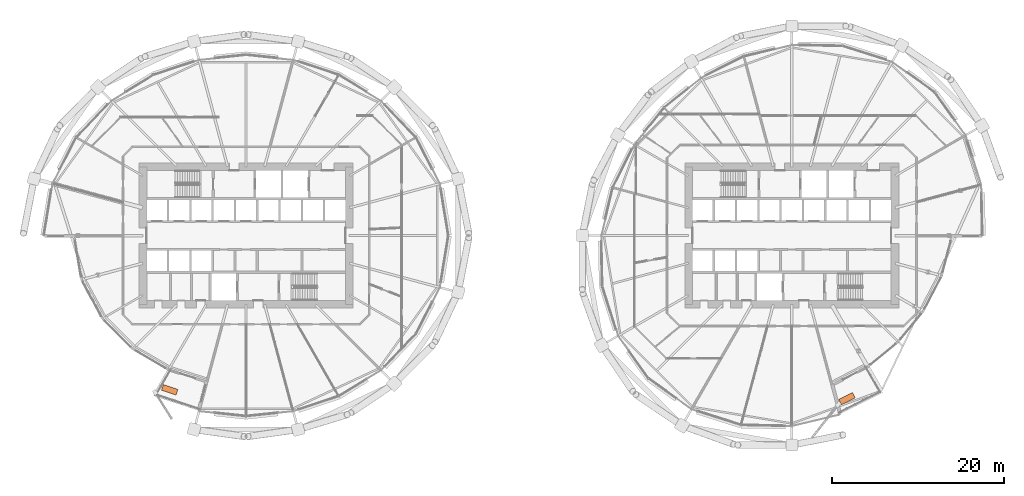
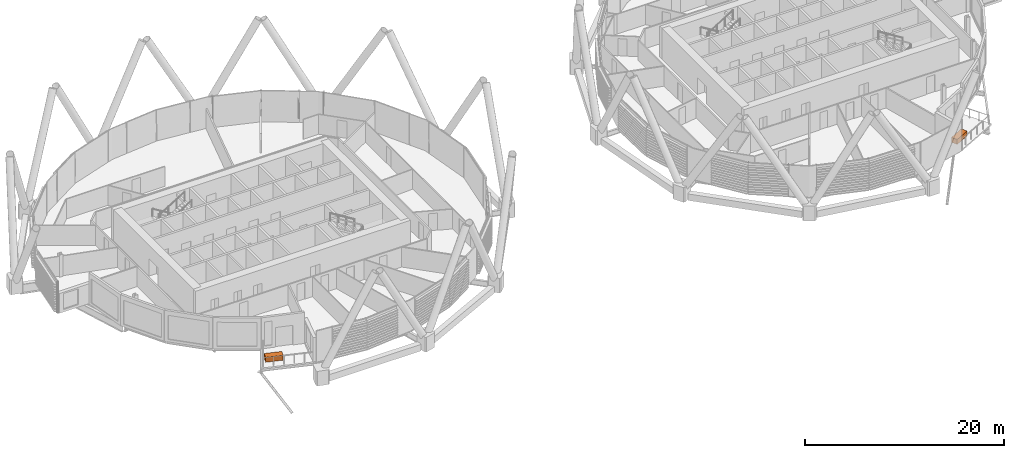
# One storey, part 36 of 36: 2 proxies.
"""IFC4 building model written with IfcOpenShell, lengths in metres."""

from ifc_helpers import new_model, si_unit, direction, frame, origin, origin_2d, place, context, subcontext, project, spatial, rectangle, extrude, material, type_object, element, save


model = new_model("IFC4")

# Units and contexts
model_context = context("Model", 3, precision=1e-05, world=origin(), true_north=direction((0.0, 1.0)))
body_context = subcontext(model_context, "Body", "Model", "MODEL_VIEW")
ifc_project = project(units=[si_unit("LENGTHUNIT", "METRE"), si_unit("AREAUNIT", "SQUARE_METRE"), si_unit("VOLUMEUNIT", "CUBIC_METRE"), si_unit("PLANEANGLEUNIT", "RADIAN"), si_unit("MASSUNIT", "GRAM", prefix="KILO")], contexts=[model_context])

# Site, building, storey
site_placement = place(None, origin())
site = spatial("IfcSite", under=ifc_project, at=site_placement, CompositionType="ELEMENT")
building_placement = place(site_placement, origin())
building = spatial("IfcBuilding", under=site, at=building_placement, Name="Rimbun Link Towers", CompositionType="ELEMENT")
storey_placement = place(building_placement, frame((0.0, 0.0, 64.199951171875)))
storey = spatial("IfcBuildingStorey", under=building, at=storey_placement, Name="L15", CompositionType="ELEMENT", Elevation=64.199951171875)

# Proxies
ifc_material = material(Name="Concrete C30/37", Category="concrete")
building_element_proxy_type = type_object("IfcBuildingElementProxyType", Name="PLANTER precast box 1800X700X600", PredefinedType="USERDEFINED", material=ifc_material)
for number, where, z_axis, x_axis, name in (
    (1, (-40.63818359375, -17.95068359375, 0.0), (0.0, 0.0, 1.0), (0.949238989505, -0.314555783293, 0.0), "PLANTER"),
    (2, (38.158203125, -18.977783203125, 0.0), (0.0, 0.0, 1.0), (0.893641116942, 0.448782301468, 0.0), "PLANTER"),
):
    element("IfcBuildingElementProxy", number, at=place(storey_placement, frame(where, z_axis=z_axis, x_axis=x_axis)), inside=storey, type_object=building_element_proxy_type, Name=name, ObjectType="PLANTER", PredefinedType="USERDEFINED", context=body_context, shape_type="SweptSolid", body=[
        extrude(rectangle(XDim=1.800048828125, YDim=0.699951171875, at=origin_2d()), origin(), (0.0, 0.0, 1.0), 0.60009765625),
    ])

save(model, "model.ifc")
